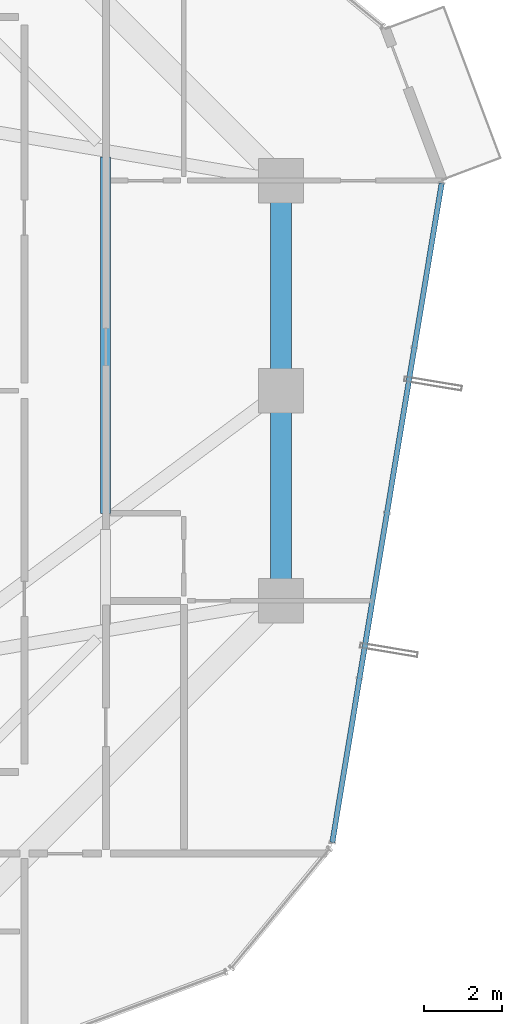
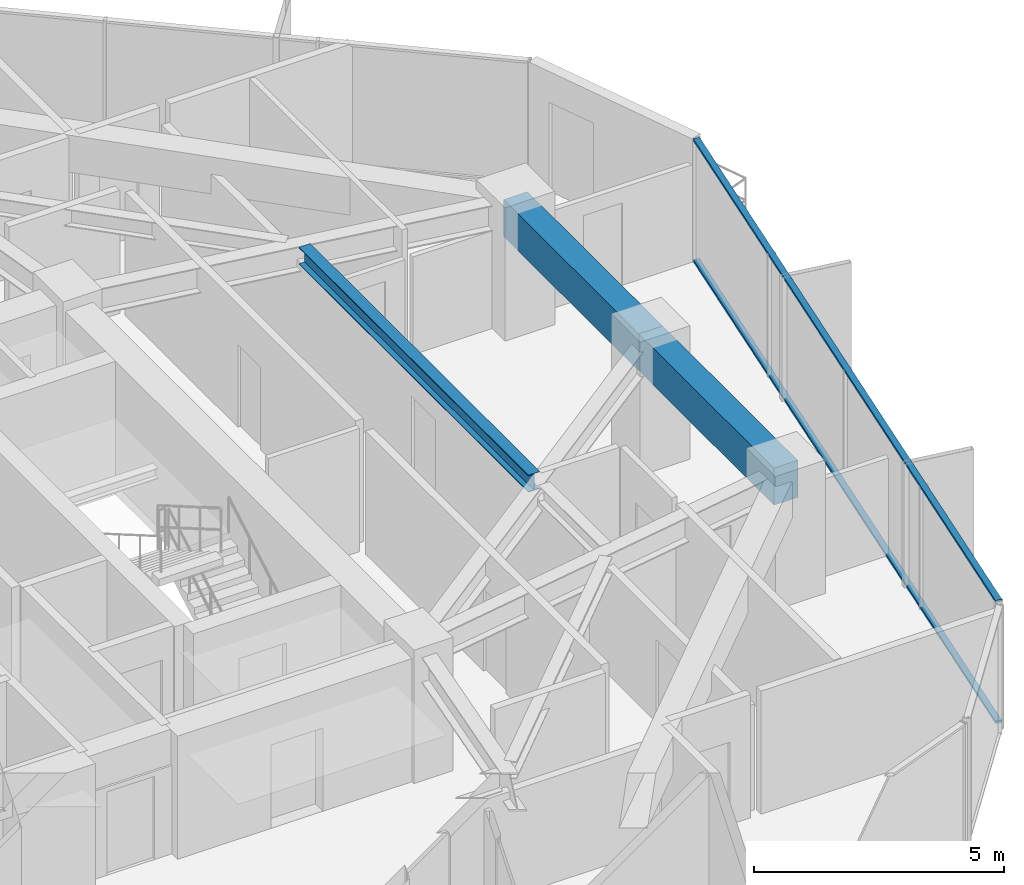
# One storey, part 17 of 30: 3 beams, 2 members, 1 element without a shape of its own.
"""IFC4 building model written with IfcOpenShell, lengths in metres."""

from ifc_helpers import new_model, si_unit, direction, frame, origin, origin_2d, place, context, subcontext, project, spatial, rectangle, hollow_rectangle, i_section, extrude, source, transform, mapped, material, layer, layer_set, material_profile, profile_set, type_object, element, aggregate, save


model = new_model("IFC4")

# Units and contexts
model_context = context("Model", 3, precision=1e-05, world=origin(), true_north=direction((0.0, 1.0)))
body_context = subcontext(model_context, "Body", "Model", "MODEL_VIEW")
ifc_project = project(units=[si_unit("LENGTHUNIT", "METRE"), si_unit("AREAUNIT", "SQUARE_METRE"), si_unit("VOLUMEUNIT", "CUBIC_METRE"), si_unit("PLANEANGLEUNIT", "RADIAN"), si_unit("MASSUNIT", "GRAM", prefix="KILO")], contexts=[model_context])

# Site, building, storey
site_placement = place(None, origin())
site = spatial("IfcSite", under=ifc_project, at=site_placement, CompositionType="ELEMENT")
building_placement = place(site_placement, origin())
building = spatial("IfcBuilding", under=site, at=building_placement, Name="Veraguas Prism Commons", CompositionType="ELEMENT")
storey_placement = place(building_placement, frame((0.0, 0.0, 95.949951171875)))
storey = spatial("IfcBuildingStorey", under=building, at=storey_placement, Name="L26", CompositionType="ELEMENT", Elevation=95.949951171875)

# Beams
ifc_material_1 = material(Name="Steel ASTM A992 Grade 50", Category="steel")
ifc_material_profile_1 = material_profile(ifc_material_1, i_section(OverallWidth=0.260986328125, OverallDepth=0.419921875, WebThickness=0.01171875, FlangeThickness=0.019287109375, at=origin_2d()), Name="W410X114")
ifc_profile_set_1 = profile_set([ifc_material_profile_1], Name="Steel ASTM A992 Grade 50")
beam_type_1 = type_object("IfcBeamType", Name="Lower Floor Joist W410x114", PredefinedType="JOIST", material=ifc_profile_set_1)
beam_placement = place(storey_placement, frame((35.68798828125, 20.842041015625, 2.7900390625), z_axis=(0.0, 1.0, 0.0), x_axis=(-1.0, 0.0, 0.0)))
element("IfcBeam", 1, at=beam_placement, inside=storey, type_object=beam_type_1, Name="Composite Floor Joist L26-JS02", PredefinedType="JOIST", context=body_context, shape_type="SweptSolid", body=[
    extrude(i_section(OverallWidth=0.260986328125, OverallDepth=0.419921875, WebThickness=0.01171875, FlangeThickness=0.019287109375, at=origin_2d()), origin(), (0.0, 0.0, 1.0), 9.16162109375),
])
ifc_material_2 = material(Name="Concrete C50/60", Category="concrete")
ifc_material_profile_2 = material_profile(ifc_material_2, rectangle(XDim=0.550048828125, YDim=0.89990234375, at=origin_2d()), Name="RC550X900")
ifc_profile_set_2 = profile_set([ifc_material_profile_2], Name="Concrete C50/60")
beam_type_2 = type_object("IfcBeamType", Name="Perimeter Spandrel Lower RC 550x900", PredefinedType="SPANDREL", material=ifc_profile_set_2)
for number, where, z_axis, x_axis, name in (
    (2, (40.199951171875, 18.60009765625, 2.550048828125), (0.0, 1.0, 0.0), (-1.0, 0.0, 0.0), "Perimeter Spandrel Beam L26-SP01"),
    (3, (40.199951171875, 24.0, 2.550048828125), (0.0, 1.0, 0.0), (-1.0, 0.0, 0.0), "Perimeter Spandrel Beam L26-SP02"),
):
    element("IfcBeam", number, at=place(storey_placement, frame(where, z_axis=z_axis, x_axis=x_axis)), inside=storey, type_object=beam_type_2, Name=name, PredefinedType="SPANDREL", context=body_context, shape_type="SweptSolid", body=[
        extrude(rectangle(XDim=0.550048828125, YDim=0.89990234375, at=origin_2d()), origin(), (0.0, 0.0, 1.0), 5.39990234375),
    ])

# Curtain wall, members
ifc_material_3 = material(Name="Anodised aluminium EN AW-6063 T6", Category="aluminium")
ifc_layer = layer(ifc_material_3, 0.169921875, Name="Unitised Flush Curtain Wall Zone 2", Category="aluminium")
ifc_layer_set = layer_set([ifc_layer], Name="Anodised aluminium EN AW-6063 T6")
curtain_wall_type = type_object("IfcCurtainWallType", Name="Unitised Flush Curtain Wall Zone 2", PredefinedType="NOTDEFINED", material=ifc_layer_set)
curtain_wall_placement = place(storey_placement, origin())
curtain_wall = element("IfcCurtainWall", 4, at=curtain_wall_placement, inside=storey, type_object=curtain_wall_type, Name="Tower Facade Curtain Wall L26-F6", PredefinedType="NOTDEFINED")
ifc_material_profile_3 = material_profile(ifc_material_3, hollow_rectangle(XDim=0.054931640625, YDim=0.135009765625, WallThickness=0.0029296875, at=origin_2d()), Name="AL55X135X3")
ifc_profile_set_3 = profile_set([ifc_material_profile_3], Name="Anodised aluminium EN AW-6063 T6")
member_type = type_object("IfcMemberType", Name="Curtain Wall Transom Standard AL 55x135x3", PredefinedType="USERDEFINED", material=ifc_profile_set_3)
shared_shape = source(origin(), body_context, "Body", "SweptSolid", [
    extrude(hollow_rectangle(XDim=0.054931640625, YDim=0.135009765625, WallThickness=0.0029296875, at=origin_2d()), origin(), (0.0, 0.0, 1.0), 17.174560546875),
])
member_1_placement = place(storey_placement, frame((41.518310546875, 12.388916015625, 0.027587890625), z_axis=(0.163675114669, 0.986514296317, 0.0), x_axis=(0.0, 0.0, 1.0)))
member_1 = element("IfcMember", 5, at=member_1_placement, type_object=member_type, Name="CW-Z2 Transom 1", ObjectType="TRANSOM", PredefinedType="USERDEFINED", context=body_context, shape_type="MappedRepresentation", body=[
    mapped(shared_shape, transform((0.0, 0.0, 0.0), scale=1.0)),
])
member_2_placement = place(storey_placement, frame((41.518310546875, 12.388916015625, 2.97265625), z_axis=(0.163675114669, 0.986514296317, 0.0), x_axis=(0.0, 0.0, 1.0)))
member_2 = element("IfcMember", 6, at=member_2_placement, type_object=member_type, Name="CW-Z2 Transom 2", ObjectType="TRANSOM", PredefinedType="USERDEFINED", context=body_context, shape_type="MappedRepresentation", body=[
    mapped(shared_shape, transform((0.0, 0.0, 0.0), scale=1.0)),
])
aggregate(curtain_wall, [member_1, member_2])

save(model, "model.ifc")
